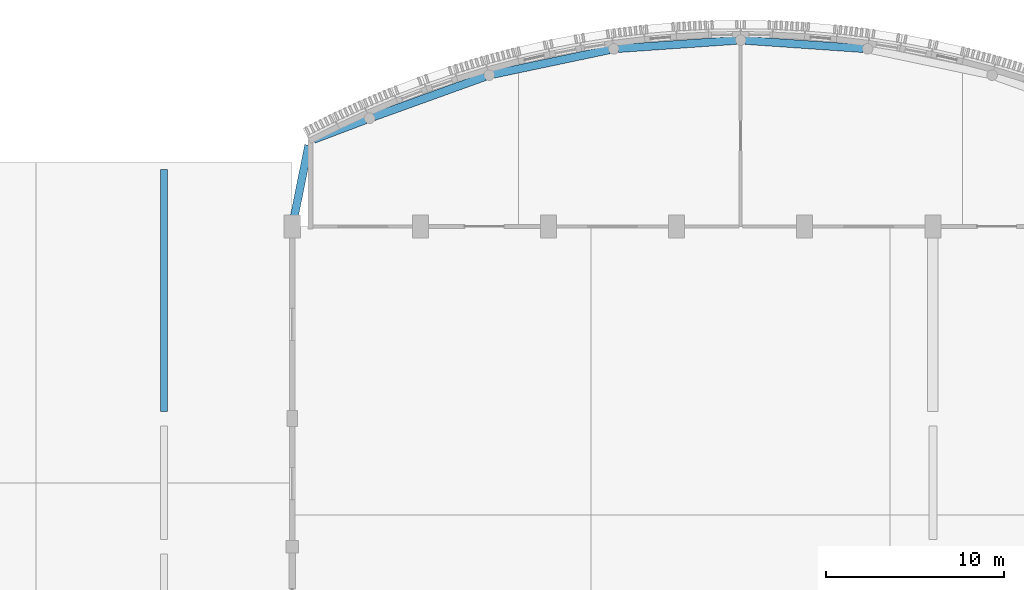
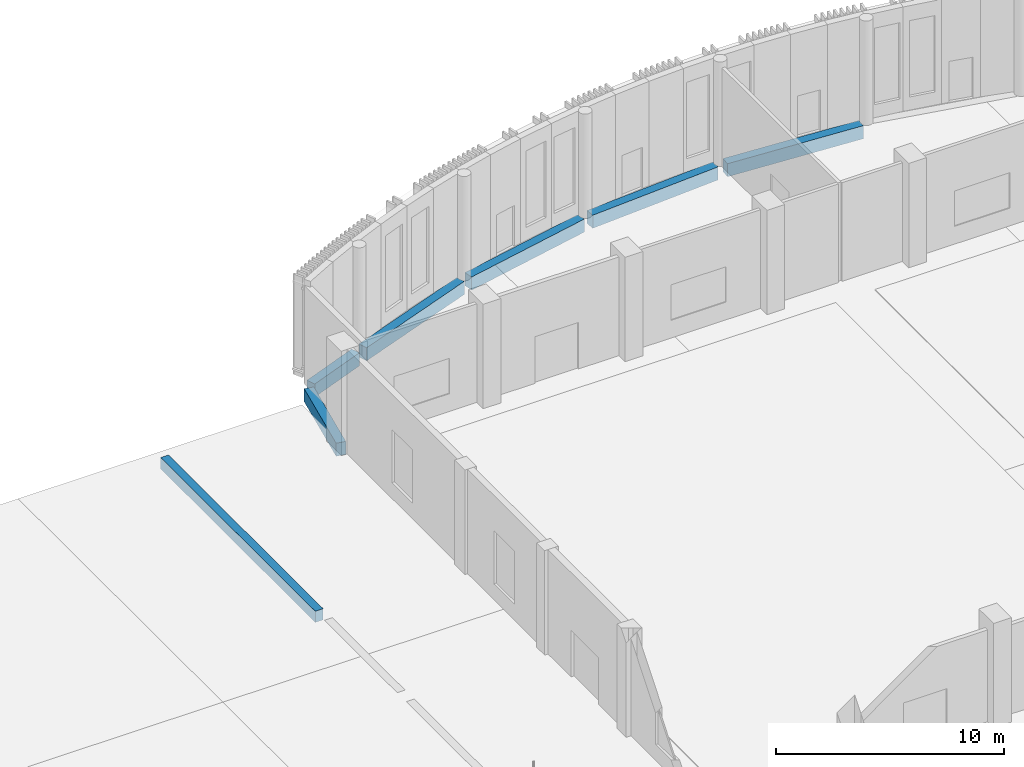
# One storey, part 22 of 85: 7 beams.
"""IFC4 building model written with IfcOpenShell, lengths in metres."""

from ifc_helpers import new_model, si_unit, direction, frame, origin, origin_2d, place, context, subcontext, project, spatial, rectangle, extrude, material, material_profile, profile_set, type_object, element, save


model = new_model("IFC4")

# Units and contexts
model_context = context("Model", 3, precision=1e-05, world=origin(), true_north=direction((0.0, 1.0)))
body_context = subcontext(model_context, "Body", "Model", "MODEL_VIEW")
ifc_project = project(units=[si_unit("LENGTHUNIT", "METRE"), si_unit("AREAUNIT", "SQUARE_METRE"), si_unit("VOLUMEUNIT", "CUBIC_METRE"), si_unit("PLANEANGLEUNIT", "RADIAN"), si_unit("MASSUNIT", "GRAM", prefix="KILO")], contexts=[model_context])

# Site, building, storey
site_placement = place(None, origin())
site = spatial("IfcSite", under=ifc_project, at=site_placement, CompositionType="ELEMENT")
building_placement = place(site_placement, origin())
building = spatial("IfcBuilding", under=site, at=building_placement, Name="Sardonyx Promenade Sports Hall", CompositionType="ELEMENT")
storey_placement = place(building_placement, origin())
storey = spatial("IfcBuildingStorey", under=building, at=storey_placement, Name="L00", CompositionType="ELEMENT", Elevation=0.0)

# Beams
ifc_material_1 = material(Name="Concrete C40/50", Category="concrete")
ifc_material_profile_1 = material_profile(ifc_material_1, rectangle(XDim=0.39990234375, YDim=0.60009765625, at=origin_2d()))
ifc_profile_set_1 = profile_set([ifc_material_profile_1], Name="Concrete C40/50")
beam_type_1 = type_object("IfcBeamType", Name="Bm_Spandrel_RC600", PredefinedType="SPANDREL", material=ifc_profile_set_1)
beam_1_placement = place(storey_placement, frame((21.60009765625, 94.0, -0.300048828125), z_axis=(0.0, 1.0, 0.0), x_axis=(-1.0, 0.0, 0.0)))
element("IfcBeam", 1, at=beam_1_placement, inside=storey, type_object=beam_type_1, Name="Beam SPB1 L00 #136", PredefinedType="SPANDREL", context=body_context, shape_type="SweptSolid", body=[
    extrude(rectangle(XDim=0.39990234375, YDim=0.60009765625, at=origin_2d()), origin(), (0.0, 0.0, 1.0), 13.60009765625),
])
ifc_material_2 = material(Name="Concrete C40/50", Category="concrete")
ifc_material_profile_2 = material_profile(ifc_material_2, rectangle(XDim=0.449951171875, YDim=0.699951171875, at=origin_2d()))
ifc_profile_set_2 = profile_set([ifc_material_profile_2], Name="Concrete C40/50")
beam_type_2 = type_object("IfcBeamType", Name="Bm_Spandrel_RC700", PredefinedType="SPANDREL", material=ifc_profile_set_2)
beam_2_placement = place(storey_placement, frame((28.849609375, 104.64501953125, -0.35009765625), z_axis=(0.198330379521, 0.98013522565, 0.0), x_axis=(-0.98013522565, 0.198330379521, 0.0)))
element("IfcBeam", 2, at=beam_2_placement, inside=storey, type_object=beam_type_2, Name="Bowed promenade grade beam #1", PredefinedType="SPANDREL", context=body_context, shape_type="SweptSolid", body=[
    extrude(rectangle(XDim=0.449951171875, YDim=0.699951171875, at=origin_2d()), origin(), (0.0, 0.0, 1.0), 4.409423828125),
])
beam_3_placement = place(storey_placement, frame((30.007568359375, 109.300048828125, -0.35009765625), z_axis=(0.935482498413, 0.353373025517, 0.0), x_axis=(-0.353373025517, 0.935482498413, 0.0)))
element("IfcBeam", 3, at=beam_3_placement, inside=storey, type_object=beam_type_2, Name="Bowed promenade grade beam #2", PredefinedType="SPANDREL", context=body_context, shape_type="SweptSolid", body=[
    extrude(rectangle(XDim=0.449951171875, YDim=0.699951171875, at=origin_2d()), origin(), (0.0, 0.0, 1.0), 3.102783203125),
])
beam_4_placement = place(storey_placement, frame((33.379150390625, 110.569580078125, -0.35009765625), z_axis=(0.940672418864, 0.33931607741, 0.0), x_axis=(-0.33931607741, 0.940672418864, 0.0)))
element("IfcBeam", 4, at=beam_4_placement, inside=storey, type_object=beam_type_2, Name="Bowed promenade grade beam #3", PredefinedType="SPANDREL", context=body_context, shape_type="SweptSolid", body=[
    extrude(rectangle(XDim=0.449951171875, YDim=0.699951171875, at=origin_2d()), origin(), (0.0, 0.0, 1.0), 6.650390625),
])
for number, where, z_axis, x_axis, name in (
    (5, (40.11474609375, 112.96240234375, -0.35009765625), (0.978508087194, 0.206208446228, 0.0), (-0.206208446228, 0.978508087194, 0.0), "Bowed promenade grade beam #4"),
    (6, (47.1162109375, 114.402587890625, -0.35009765625), (0.997602703867, 0.069201482917, 0.0), (-0.069201482917, 0.997602703867, 0.0), "Bowed promenade grade beam #5"),
    (7, (54.24951171875, 114.86279296875, -0.35009765625), (0.997602703867, -0.069201482917, 0.0), (0.069201482917, 0.997602703867, 0.0), "Bowed promenade grade beam #6"),
):
    element("IfcBeam", number, at=place(storey_placement, frame(where, z_axis=z_axis, x_axis=x_axis)), inside=storey, type_object=beam_type_2, Name=name, PredefinedType="SPANDREL", context=body_context, shape_type="SweptSolid", body=[
        extrude(rectangle(XDim=0.449951171875, YDim=0.699951171875, at=origin_2d()), origin(), (0.0, 0.0, 1.0), 6.650146484375),
    ])

save(model, "model.ifc")
